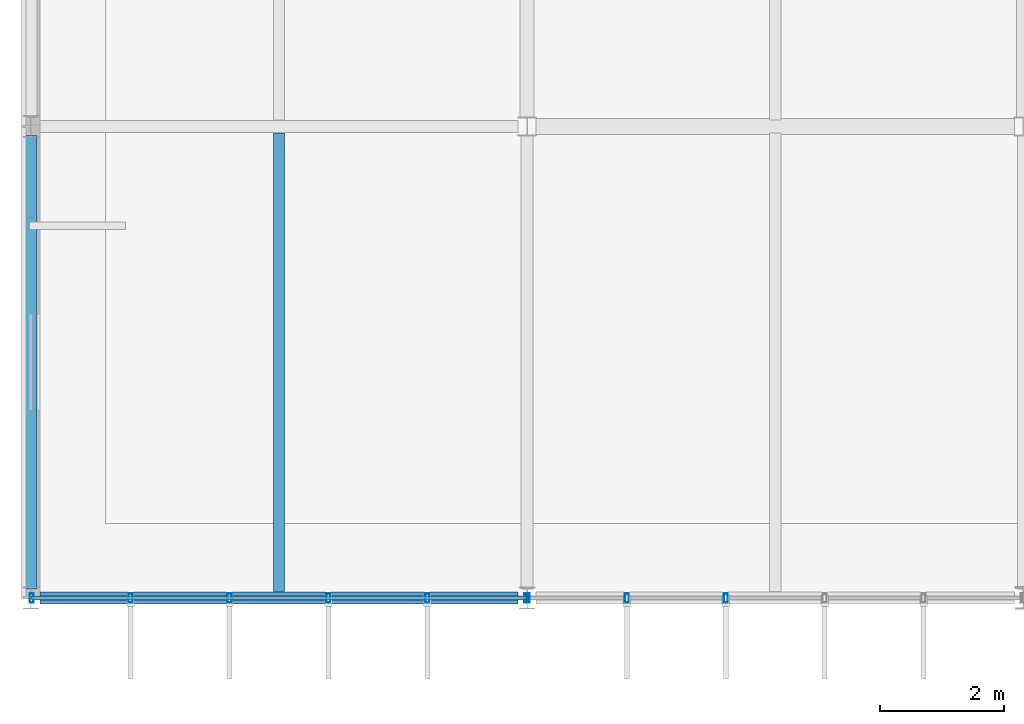
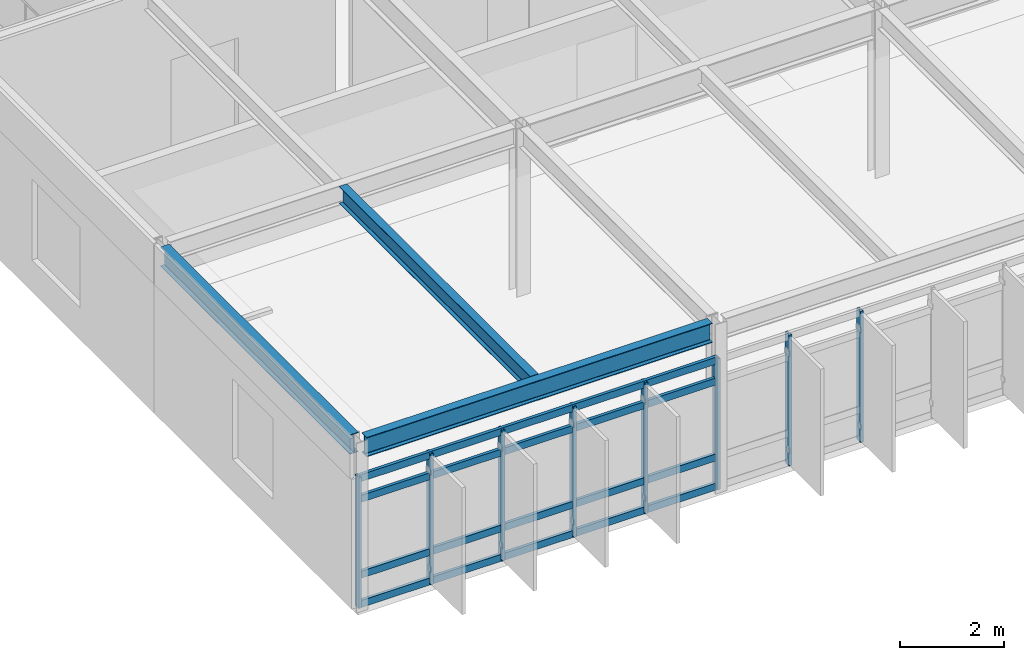
# One storey, part 3 of 17: 13 members, 3 beams, 2 elements without a shape of their own.
"""IFC4 building model written with IfcOpenShell, lengths in metres."""

from ifc_helpers import new_model, si_unit, direction, frame, origin, origin_2d, place, context, subcontext, project, spatial, hollow_rectangle, i_section, extrude, material, material_profile, profile_set, type_object, element, aggregate, save


model = new_model("IFC4")

# Units and contexts
model_context = context("Model", 3, precision=1e-05, world=origin(), true_north=direction((0.0, 1.0)))
body_context = subcontext(model_context, "Body", "Model", "MODEL_VIEW")
ifc_project = project(units=[si_unit("LENGTHUNIT", "METRE"), si_unit("AREAUNIT", "SQUARE_METRE"), si_unit("VOLUMEUNIT", "CUBIC_METRE"), si_unit("PLANEANGLEUNIT", "RADIAN"), si_unit("MASSUNIT", "GRAM", prefix="KILO")], contexts=[model_context])

# Site, building, storey
site_placement = place(None, origin())
site = spatial("IfcSite", under=ifc_project, at=site_placement, CompositionType="ELEMENT")
building_placement = place(site_placement, origin())
building = spatial("IfcBuilding", under=site, at=building_placement, Name="Zulena Civic Courthouse", CompositionType="ELEMENT")
storey_placement = place(building_placement, frame((0.0, 0.0, 42.0)))
storey = spatial("IfcBuildingStorey", under=building, at=storey_placement, Name="L09", CompositionType="ELEMENT", Elevation=42.0)

# Curtain wall, members
ifc_material_1 = material(Name="Double-silver low-E laminated solar-control glass", Category="glass")
curtain_wall_type = type_object("IfcCurtainWallType", Name="CW_7976x3090", PredefinedType="USERDEFINED", material=ifc_material_1)
curtain_wall_1_placement = place(storey_placement, origin())
curtain_wall_1 = element("IfcCurtainWall", 1, at=curtain_wall_1_placement, inside=storey, type_object=curtain_wall_type, Name="cw:V2:L09:3:4", ObjectType="UNITISED CURTAIN WALL", PredefinedType="USERDEFINED")
ifc_material_2 = material(Name="Bronze anodised thermally broken aluminium AA6063-T6", Category="aluminium")
ifc_material_profile_1 = material_profile(ifc_material_2, hollow_rectangle(XDim=0.06494140625, YDim=0.14990234375, WallThickness=0.00390625, at=origin_2d()), Name="CWM150X65X4")
ifc_profile_set_1 = profile_set([ifc_material_profile_1], Name="Bronze anodised thermally broken aluminium AA6063-T6")
member_type_1 = type_object("IfcMemberType", Name="CWMullion_150x65", PredefinedType="MULLION", material=ifc_profile_set_1)
member_1_placement = place(storey_placement, frame((31.202392578125, 0.0, 0.0), z_axis=(0.0, 0.0, 1.0), x_axis=(1.0, 0.0, 0.0)))
member_1 = element("IfcMember", 2, at=member_1_placement, type_object=member_type_1, Name="cw:V2:L09:3:4:mull:3", PredefinedType="MULLION", context=body_context, shape_type="SweptSolid", body=[
    extrude(hollow_rectangle(XDim=0.06494140625, YDim=0.14990234375, WallThickness=0.00390625, at=origin_2d()), origin(), (0.0, 0.0, 1.0), 3.090087890625),
])
member_2_placement = place(storey_placement, frame((29.607177734375, 0.0, 0.0), z_axis=(0.0, 0.0, 1.0), x_axis=(1.0, 0.0, 0.0)))
member_2 = element("IfcMember", 3, at=member_2_placement, type_object=member_type_1, Name="cw:V2:L09:3:4:mull:4", PredefinedType="MULLION", context=body_context, shape_type="SweptSolid", body=[
    extrude(hollow_rectangle(XDim=0.06494140625, YDim=0.14990234375, WallThickness=0.00390625, at=origin_2d()), origin(), (0.0, 0.0, 1.0), 3.090087890625),
])
member_3_placement = place(storey_placement, frame((28.011962890625, 0.0, 0.0), z_axis=(0.0, 0.0, 1.0), x_axis=(1.0, 0.0, 0.0)))
member_3 = element("IfcMember", 4, at=member_3_placement, type_object=member_type_1, Name="cw:V2:L09:3:4:mull:5", PredefinedType="MULLION", context=body_context, shape_type="SweptSolid", body=[
    extrude(hollow_rectangle(XDim=0.06494140625, YDim=0.14990234375, WallThickness=0.00390625, at=origin_2d()), origin(), (0.0, 0.0, 1.0), 3.090087890625),
])
aggregate(curtain_wall_1, [member_1, member_2, member_3])

curtain_wall_2_placement = place(storey_placement, origin())
curtain_wall_2 = element("IfcCurtainWall", 5, at=curtain_wall_2_placement, inside=storey, type_object=curtain_wall_type, Name="cw:V2:L09:3:5", ObjectType="UNITISED CURTAIN WALL", PredefinedType="USERDEFINED")
member_4_placement = place(storey_placement, frame((27.988037109375, 0.0, 0.0), z_axis=(0.0, 0.0, 1.0), x_axis=(1.0, 0.0, 0.0)))
member_4 = element("IfcMember", 6, at=member_4_placement, type_object=member_type_1, Name="cw:V2:L09:3:5:mull:0", PredefinedType="MULLION", context=body_context, shape_type="SweptSolid", body=[
    extrude(hollow_rectangle(XDim=0.06494140625, YDim=0.14990234375, WallThickness=0.00390625, at=origin_2d()), origin(), (0.0, 0.0, 1.0), 3.090087890625),
])
member_5_placement = place(storey_placement, frame((26.392822265625, 0.0, 0.0), z_axis=(0.0, 0.0, 1.0), x_axis=(1.0, 0.0, 0.0)))
member_5 = element("IfcMember", 7, at=member_5_placement, type_object=member_type_1, Name="cw:V2:L09:3:5:mull:1", PredefinedType="MULLION", context=body_context, shape_type="SweptSolid", body=[
    extrude(hollow_rectangle(XDim=0.06494140625, YDim=0.14990234375, WallThickness=0.00390625, at=origin_2d()), origin(), (0.0, 0.0, 1.0), 3.090087890625),
])
member_6_placement = place(storey_placement, frame((24.797607421875, 0.0, 0.0), z_axis=(0.0, 0.0, 1.0), x_axis=(1.0, 0.0, 0.0)))
member_6 = element("IfcMember", 8, at=member_6_placement, type_object=member_type_1, Name="cw:V2:L09:3:5:mull:2", PredefinedType="MULLION", context=body_context, shape_type="SweptSolid", body=[
    extrude(hollow_rectangle(XDim=0.06494140625, YDim=0.14990234375, WallThickness=0.00390625, at=origin_2d()), origin(), (0.0, 0.0, 1.0), 3.090087890625),
])
member_7_placement = place(storey_placement, frame((23.202392578125, 0.0, 0.0), z_axis=(0.0, 0.0, 1.0), x_axis=(1.0, 0.0, 0.0)))
member_7 = element("IfcMember", 9, at=member_7_placement, type_object=member_type_1, Name="cw:V2:L09:3:5:mull:3", PredefinedType="MULLION", context=body_context, shape_type="SweptSolid", body=[
    extrude(hollow_rectangle(XDim=0.06494140625, YDim=0.14990234375, WallThickness=0.00390625, at=origin_2d()), origin(), (0.0, 0.0, 1.0), 3.090087890625),
])
member_8_placement = place(storey_placement, frame((21.607177734375, 0.0, 0.0), z_axis=(0.0, 0.0, 1.0), x_axis=(1.0, 0.0, 0.0)))
member_8 = element("IfcMember", 10, at=member_8_placement, type_object=member_type_1, Name="cw:V2:L09:3:5:mull:4", PredefinedType="MULLION", context=body_context, shape_type="SweptSolid", body=[
    extrude(hollow_rectangle(XDim=0.06494140625, YDim=0.14990234375, WallThickness=0.00390625, at=origin_2d()), origin(), (0.0, 0.0, 1.0), 3.090087890625),
])
member_9_placement = place(storey_placement, frame((20.011962890625, 0.0, 0.0), z_axis=(0.0, 0.0, 1.0), x_axis=(1.0, 0.0, 0.0)))
member_9 = element("IfcMember", 11, at=member_9_placement, type_object=member_type_1, Name="cw:V2:L09:3:5:mull:5", PredefinedType="MULLION", context=body_context, shape_type="SweptSolid", body=[
    extrude(hollow_rectangle(XDim=0.06494140625, YDim=0.14990234375, WallThickness=0.00390625, at=origin_2d()), origin(), (0.0, 0.0, 1.0), 3.090087890625),
])
ifc_material_profile_2 = material_profile(ifc_material_2, hollow_rectangle(XDim=0.070068359375, YDim=0.1650390625, WallThickness=0.00390625, at=origin_2d()), Name="CWT165X70X4")
ifc_profile_set_2 = profile_set([ifc_material_profile_2], Name="Bronze anodised thermally broken aluminium AA6063-T6")
member_type_2 = type_object("IfcMemberType", Name="CWTransom_165x70", PredefinedType="USERDEFINED", material=ifc_profile_set_2)
member_10_placement = place(storey_placement, frame((27.988037109375, 0.0, 0.06005859375), z_axis=(-1.0, 0.0, 0.0), x_axis=(0.0, -1.0, 0.0)))
member_10 = element("IfcMember", 12, at=member_10_placement, type_object=member_type_2, Name="cw:V2:L09:3:5:tran:0", ObjectType="TRANSOM", PredefinedType="USERDEFINED", context=body_context, shape_type="SweptSolid", body=[
    extrude(hollow_rectangle(XDim=0.070068359375, YDim=0.1650390625, WallThickness=0.00390625, at=origin_2d()), origin(), (0.0, 0.0, 1.0), 7.97607421875),
])
member_11_placement = place(storey_placement, frame((27.988037109375, 0.0, 0.75), z_axis=(-1.0, 0.0, 0.0), x_axis=(0.0, -1.0, 0.0)))
member_11 = element("IfcMember", 13, at=member_11_placement, type_object=member_type_2, Name="cw:V2:L09:3:5:tran:1", ObjectType="TRANSOM", PredefinedType="USERDEFINED", context=body_context, shape_type="SweptSolid", body=[
    extrude(hollow_rectangle(XDim=0.070068359375, YDim=0.1650390625, WallThickness=0.00390625, at=origin_2d()), origin(), (0.0, 0.0, 1.0), 7.97607421875),
])
member_12_placement = place(storey_placement, frame((27.988037109375, 0.0, 2.5400390625), z_axis=(-1.0, 0.0, 0.0), x_axis=(0.0, -1.0, 0.0)))
member_12 = element("IfcMember", 14, at=member_12_placement, type_object=member_type_2, Name="cw:V2:L09:3:5:tran:2", ObjectType="TRANSOM", PredefinedType="USERDEFINED", context=body_context, shape_type="SweptSolid", body=[
    extrude(hollow_rectangle(XDim=0.070068359375, YDim=0.1650390625, WallThickness=0.00390625, at=origin_2d()), origin(), (0.0, 0.0, 1.0), 7.97607421875),
])
member_13_placement = place(storey_placement, frame((27.988037109375, 0.0, 3.030029296875), z_axis=(-1.0, 0.0, 0.0), x_axis=(0.0, -1.0, 0.0)))
member_13 = element("IfcMember", 15, at=member_13_placement, type_object=member_type_2, Name="cw:V2:L09:3:5:tran:3", ObjectType="TRANSOM", PredefinedType="USERDEFINED", context=body_context, shape_type="SweptSolid", body=[
    extrude(hollow_rectangle(XDim=0.070068359375, YDim=0.1650390625, WallThickness=0.00390625, at=origin_2d()), origin(), (0.0, 0.0, 1.0), 7.97607421875),
])
aggregate(curtain_wall_2, [member_4, member_5, member_6, member_7, member_8, member_9, member_10, member_11, member_12, member_13])

# Beams
ifc_material_3 = material(Name="Steel ASTM A992 Grade 50", Category="steel")
ifc_material_profile_3 = material_profile(ifc_material_3, i_section(OverallWidth=0.177978515625, OverallDepth=0.406005859375, WebThickness=0.0078125, FlangeThickness=0.0126953125, FilletRadius=0.01025390625, at=origin_2d()), Name="W16X40")
ifc_profile_set_3 = profile_set([ifc_material_profile_3], Name="Steel ASTM A992 Grade 50")
beam_type_1 = type_object("IfcBeamType", Name="Joist_W16X40", PredefinedType="JOIST", material=ifc_profile_set_3)
beam_1_placement = place(storey_placement, frame((24.0, 0.10498046875, 3.7919921875), z_axis=(0.0, 1.0, 0.0), x_axis=(-1.0, 0.0, 0.0)))
element("IfcBeam", 16, at=beam_1_placement, inside=storey, type_object=beam_type_1, Name="joist:V2:L09:24.00:0.0_7.6", PredefinedType="JOIST", context=body_context, shape_type="SweptSolid", body=[
    extrude(i_section(OverallWidth=0.177978515625, OverallDepth=0.406005859375, WebThickness=0.0078125, FlangeThickness=0.0126953125, FilletRadius=0.01025390625, at=origin_2d()), origin(), (0.0, 0.0, 1.0), 7.39013671875),
])
ifc_material_profile_4 = material_profile(ifc_material_3, i_section(OverallWidth=0.19091796875, OverallDepth=0.4599609375, WebThickness=0.010009765625, FlangeThickness=0.01611328125, FilletRadius=0.01025390625, at=origin_2d()), Name="W18X55")
ifc_profile_set_4 = profile_set([ifc_material_profile_4], Name="Steel ASTM A992 Grade 50")
beam_type_2 = type_object("IfcBeamType", Name="Spandrel_W18X55", PredefinedType="SPANDREL", material=ifc_profile_set_4)
beam_2_placement = place(storey_placement, frame((20.14501953125, 0.0, 3.764892578125), z_axis=(1.0, 0.0, 0.0), x_axis=(0.0, 1.0, 0.0)))
element("IfcBeam", 17, at=beam_2_placement, inside=storey, type_object=beam_type_2, Name="beam:X:V2:L09:0.0:20.0_28.0", PredefinedType="SPANDREL", context=body_context, shape_type="SweptSolid", body=[
    extrude(i_section(OverallWidth=0.19091796875, OverallDepth=0.4599609375, WebThickness=0.010009765625, FlangeThickness=0.01611328125, FilletRadius=0.01025390625, at=origin_2d()), origin(), (0.0, 0.0, 1.0), 7.7099609375),
])
beam_3_placement = place(storey_placement, frame((20.0, 0.14501953125, 3.764892578125), z_axis=(0.0, 1.0, 0.0), x_axis=(-1.0, 0.0, 0.0)))
element("IfcBeam", 18, at=beam_3_placement, inside=storey, type_object=beam_type_2, Name="beam:Y:V2:L09:20.0:0.0_7.6", PredefinedType="SPANDREL", context=body_context, shape_type="SweptSolid", body=[
    extrude(i_section(OverallWidth=0.19091796875, OverallDepth=0.4599609375, WebThickness=0.010009765625, FlangeThickness=0.01611328125, FilletRadius=0.01025390625, at=origin_2d()), origin(), (0.0, 0.0, 1.0), 7.31005859375),
])

save(model, "model.ifc")
